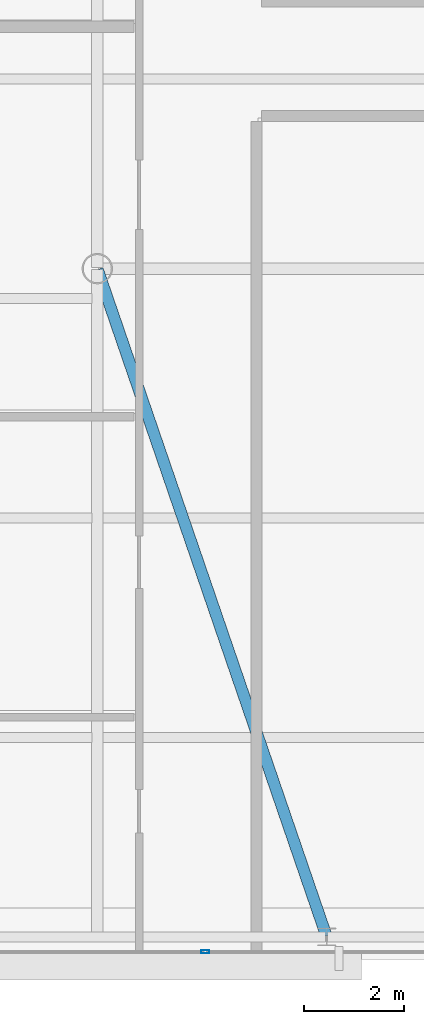
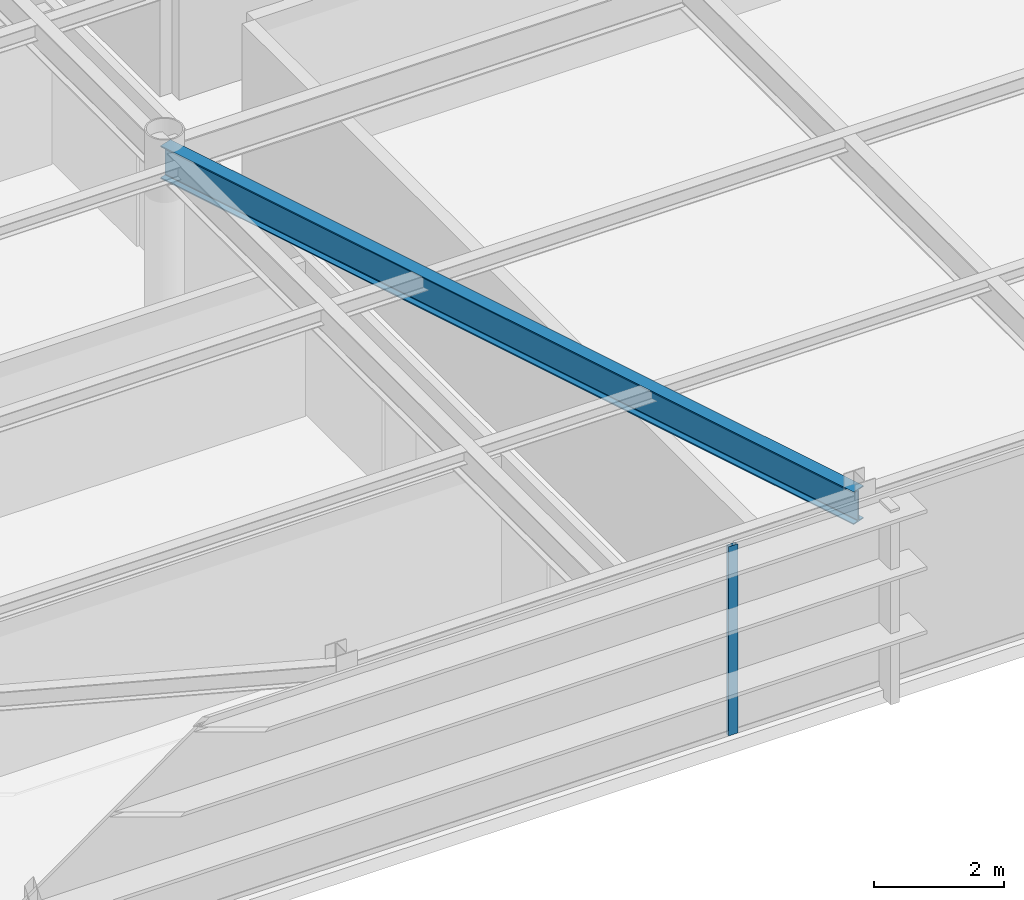
# One storey, part 6 of 26: 1 beam, 1 member, 1 element without a shape of its own.
"""IFC4 building model written with IfcOpenShell, lengths in metres."""

from ifc_helpers import new_model, si_unit, direction, frame, origin, origin_2d, place, context, subcontext, project, spatial, hollow_rectangle, i_section, extrude, source, transform, mapped, material, layer, layer_set, material_profile, profile_set, type_object, type_shapes, element, aggregate, save


model = new_model("IFC4")

# Units and contexts
model_context = context("Model", 3, precision=1e-05, world=origin(), true_north=direction((0.0, 1.0)))
body_context = subcontext(model_context, "Body", "Model", "MODEL_VIEW")
ifc_project = project(units=[si_unit("LENGTHUNIT", "METRE"), si_unit("AREAUNIT", "SQUARE_METRE"), si_unit("VOLUMEUNIT", "CUBIC_METRE"), si_unit("PLANEANGLEUNIT", "RADIAN"), si_unit("MASSUNIT", "GRAM", prefix="KILO")], contexts=[model_context])

# Site, building, storey
site_placement = place(None, origin())
site = spatial("IfcSite", under=ifc_project, at=site_placement, CompositionType="ELEMENT")
building_placement = place(site_placement, origin())
building = spatial("IfcBuilding", under=site, at=building_placement, Name="Varnel Quay Broadcast Tower", CompositionType="ELEMENT")
storey_placement = place(building_placement, frame((0.0, 0.0, 218.800048828125)))
storey = spatial("IfcBuildingStorey", under=building, at=storey_placement, Name="L54", CompositionType="ELEMENT", Elevation=218.800048828125)

# Beam
ifc_material_1 = material(Name="Structural Steel CSA G40.21 350W", Category="steel")
ifc_material_profile_1 = material_profile(ifc_material_1, i_section(OverallWidth=0.22998046875, OverallDepth=0.616943359375, WebThickness=0.01318359375, FlangeThickness=0.022216796875, FilletRadius=0.01611328125, at=origin_2d()), Name="W610X140")
ifc_profile_set_1 = profile_set([ifc_material_profile_1], Name="Structural Steel CSA G40.21 350W")
beam_type = type_object("IfcBeamType", Name="Girder_W610X140", PredefinedType="BEAM", material=ifc_profile_set_1)
shared_shape_1 = source(origin(), body_context, "Body", "SweptSolid", [
    extrude(i_section(OverallWidth=0.22998046875, OverallDepth=0.616943359375, WebThickness=0.01318359375, FlangeThickness=0.022216796875, FilletRadius=0.01611328125, at=origin_2d()), origin(), (0.0, 0.0, 1.0), 14.12744140625),
])
type_shapes(beam_type, [shared_shape_1])
beam_placement = place(storey_placement, frame((29.3935546875, 10.6689453125, 3.241455078125), z_axis=(-0.324696747868, 0.945818175932, 0.0), x_axis=(-0.945818175932, -0.324696747868, 0.0)))
element("IfcBeam", 1, at=beam_placement, inside=storey, type_object=beam_type, Name="L54 Primary Girder TC-S2-IC-01", PredefinedType="BEAM", context=body_context, shape_type="MappedRepresentation", body=[
    mapped(shared_shape_1, transform((0.0, 0.0, 0.0), x_axis=(1.0, 0.0, 0.0), y_axis=(0.0, 1.0, 0.0), z_axis=(0.0, 0.0, 1.0), scale=1.0)),
])

# Curtain wall, member
ifc_material_2 = material(Name="Anodised Bronze Aluminium 6063-T6", Category="aluminium")
ifc_layer = layer(ifc_material_2, 0.18994140625, Name="Anodised Bronze Aluminium 6063-T6")
ifc_layer_set = layer_set([ifc_layer], Name="Anodised Bronze Aluminium 6063-T6")
curtain_wall_type = type_object("IfcCurtainWallType", Name="CW_UpperTower", PredefinedType="NOTDEFINED", material=ifc_layer_set)
curtain_wall_placement = place(storey_placement, origin())
curtain_wall = element("IfcCurtainWall", 2, at=curtain_wall_placement, inside=storey, type_object=curtain_wall_type, Name="L54 South Unitised Curtain Wall 1", PredefinedType="NOTDEFINED")
ifc_material_profile_2 = material_profile(ifc_material_2, hollow_rectangle(XDim=0.06494140625, YDim=0.1650390625, WallThickness=0.00341796875, at=origin_2d()), Name="ALU65X165X3.5")
ifc_profile_set_2 = profile_set([ifc_material_profile_2], Name="Anodised Bronze Aluminium 6063-T6")
member_type = type_object("IfcMemberType", Name="Mull_CWS-03", PredefinedType="MULLION", material=ifc_profile_set_2)
shared_shape_2 = source(origin(), body_context, "Body", "SweptSolid", [
    extrude(hollow_rectangle(XDim=0.06494140625, YDim=0.1650390625, WallThickness=0.00341796875, at=origin_2d()), origin(), (0.0, 0.0, 1.0), 3.550048828125),
])
type_shapes(member_type, [shared_shape_2])
member_placement = place(storey_placement, frame((26.966552734375, 10.35009765625, 0.0), z_axis=(0.0, 0.0, 1.0), x_axis=(0.0, 1.0, 0.0)))
member = element("IfcMember", 3, at=member_placement, type_object=member_type, Name="CWS-03 mullion 2", PredefinedType="MULLION", context=body_context, shape_type="MappedRepresentation", body=[
    mapped(shared_shape_2, transform((0.0, 0.0, 0.0), x_axis=(1.0, 0.0, 0.0), y_axis=(0.0, 1.0, 0.0), z_axis=(0.0, 0.0, 1.0), scale=1.0)),
])
aggregate(curtain_wall, [member])

save(model, "model.ifc")
